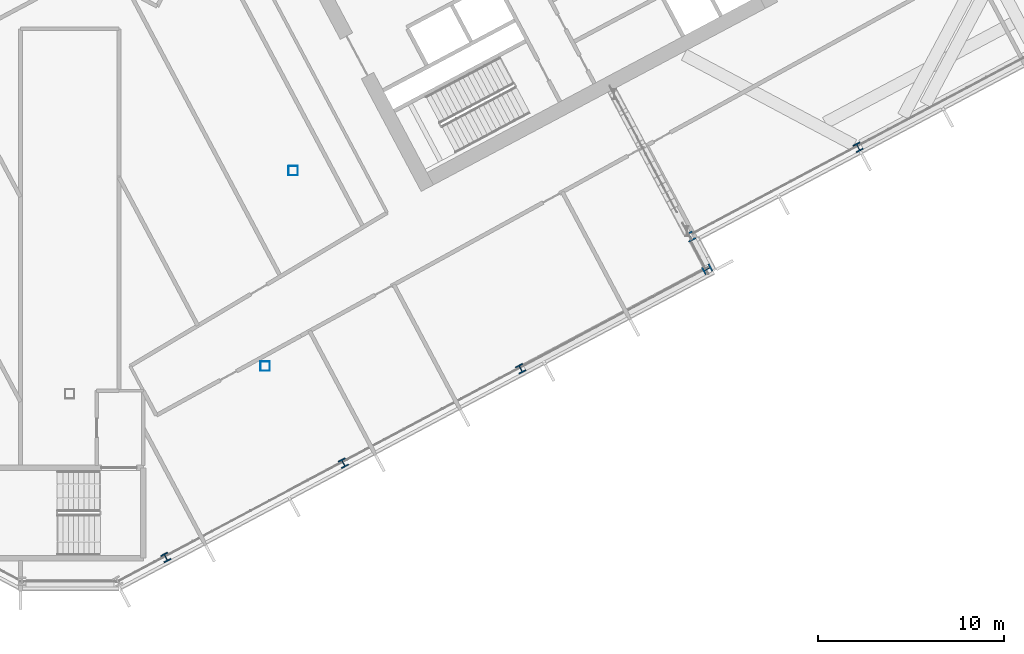
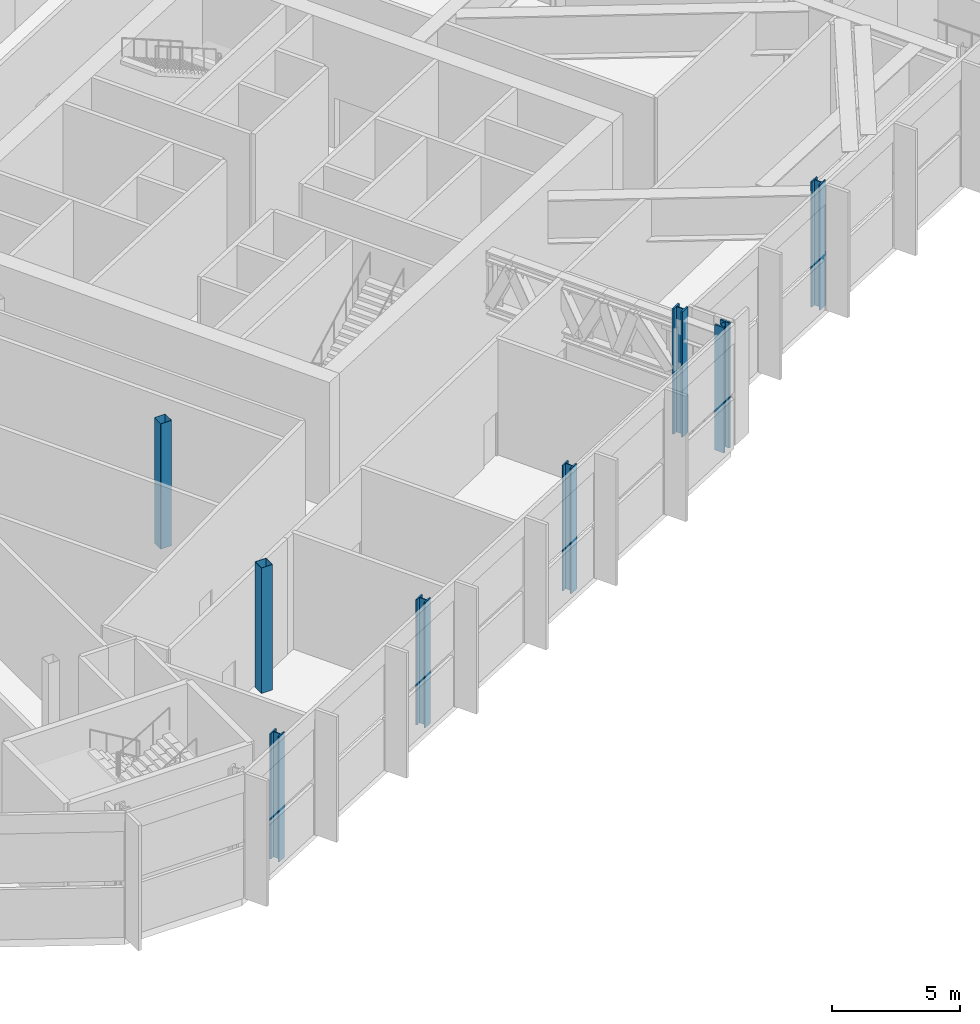
# One storey, part 5 of 33: 8 columns.
"""IFC4 building model written with IfcOpenShell, lengths in metres."""

from ifc_helpers import new_model, si_unit, direction, frame, origin, origin_2d, place, context, subcontext, project, spatial, hollow_rectangle, i_section, extrude, material, material_profile, profile_set, type_object, element, save


model = new_model("IFC4")

# Units and contexts
model_context = context("Model", 3, precision=1e-05, world=origin(), true_north=direction((0.0, 1.0)))
body_context = subcontext(model_context, "Body", "Model", "MODEL_VIEW")
ifc_project = project(units=[si_unit("LENGTHUNIT", "METRE"), si_unit("AREAUNIT", "SQUARE_METRE"), si_unit("VOLUMEUNIT", "CUBIC_METRE"), si_unit("PLANEANGLEUNIT", "RADIAN"), si_unit("MASSUNIT", "GRAM", prefix="KILO")], contexts=[model_context])

# Site, building, storey
site_placement = place(None, origin())
site = spatial("IfcSite", under=ifc_project, at=site_placement, CompositionType="ELEMENT")
building_placement = place(site_placement, origin())
building = spatial("IfcBuilding", under=site, at=building_placement, Name="Cormorant Relay Tower", CompositionType="ELEMENT")
storey_placement = place(building_placement, frame((0.0, 0.0, 183.60009765625)))
storey = spatial("IfcBuildingStorey", under=building, at=storey_placement, Name="L39", CompositionType="ELEMENT", Elevation=183.60009765625)

# Columns
ifc_material_1 = material(Name="Steel ASTM A500 Grade C (Fy 345 MPa)", Category="steel")
ifc_material_profile_1 = material_profile(ifc_material_1, hollow_rectangle(XDim=0.508056640625, YDim=0.508056640625, WallThickness=0.01171875, InnerFilletRadius=0.005859375, OuterFilletRadius=0.017822265625, at=origin_2d()), Name="HSS508x508x12")
ifc_profile_set_1 = profile_set([ifc_material_profile_1], Name="Steel ASTM A500 Grade C (Fy 345 MPa)")
column_type_1 = type_object("IfcColumnType", Name="Column HSS508x508x12", PredefinedType="COLUMN", material=ifc_profile_set_1)
for number, where, z_axis, x_axis, name in (
    (1, (10.5, -10.5, 0.0), (0.0, 0.0, 1.0), (1.0, 0.0, 0.0), "Column L39-010"),
    (2, (12.0, 0.0, 0.0), (0.0, 0.0, 1.0), (1.0, 0.0, 0.0), "Column L39-016"),
):
    element("IfcColumn", number, at=place(storey_placement, frame(where, z_axis=z_axis, x_axis=x_axis)), inside=storey, type_object=column_type_1, Name=name, PredefinedType="COLUMN", context=body_context, shape_type="SweptSolid", body=[
        extrude(hollow_rectangle(XDim=0.508056640625, YDim=0.508056640625, WallThickness=0.01171875, InnerFilletRadius=0.005859375, OuterFilletRadius=0.017822265625, at=origin_2d()), origin(), (0.0, 0.0, 1.0), 6.0),
    ])
ifc_material_2 = material(Name="Steel ASTM A992 (Fy 345 MPa)", Category="steel")
ifc_material_profile_2 = material_profile(ifc_material_2, i_section(OverallWidth=0.41162109375, OverallDepth=0.434326171875, WebThickness=0.035888671875, FlangeThickness=0.057373046875, FilletRadius=0.01513671875, at=origin_2d()), Name="W360x463")
ifc_profile_set_2 = profile_set([ifc_material_profile_2], Name="Steel ASTM A992 (Fy 345 MPa)")
column_type_2 = type_object("IfcColumnType", Name="Column W360x463", PredefinedType="COLUMN", material=ifc_profile_set_2)
for number, where, z_axis, x_axis, name in (
    (3, (5.1640625, -20.7890625, 0.0), (0.0, 0.0, 1.0), (0.882947592859, 0.469471562786, 0.0), "Column L39-003"),
    (4, (14.699951171875, -15.718994140625, 0.0), (0.0, 0.0, 1.0), (0.882947592859, 0.469471562786, 0.0), "Column L39-005"),
    (5, (24.236083984375, -10.64794921875, 0.0), (0.0, 0.0, 1.0), (0.882947592859, 0.469471562786, 0.0), "Column L39-008"),
    (6, (42.368896484375, 1.258056640625, 0.0), (0.0, 0.0, 1.0), (0.882947592859, 0.469471562786, 0.0), "Column L39-017"),
):
    element("IfcColumn", number, at=place(storey_placement, frame(where, z_axis=z_axis, x_axis=x_axis)), inside=storey, type_object=column_type_2, Name=name, PredefinedType="COLUMN", context=body_context, shape_type="SweptSolid", body=[
        extrude(i_section(OverallWidth=0.41162109375, OverallDepth=0.434326171875, WebThickness=0.035888671875, FlangeThickness=0.057373046875, FilletRadius=0.01513671875, at=origin_2d()), origin(), (0.0, 0.0, 1.0), 6.0),
    ])
ifc_material_3 = material(Name="Steel ASTM A992 (Fy 345 MPa)", Category="steel")
ifc_material_profile_3 = material_profile(ifc_material_3, i_section(OverallWidth=0.42431640625, OverallDepth=0.47509765625, WebThickness=0.0478515625, FlangeThickness=0.0771484375, FilletRadius=0.014892578125, at=origin_2d()), Name="W360x634")
ifc_profile_set_3 = profile_set([ifc_material_profile_3], Name="Steel ASTM A992 (Fy 345 MPa)")
column_type_3 = type_object("IfcColumnType", Name="Column W360x634", PredefinedType="COLUMN", material=ifc_profile_set_3)
for number, where, z_axis, x_axis, name in (
    (7, (34.256103515625, -5.297119140625, 0.0), (0.0, 0.0, 1.0), (-0.469471562786, 0.882947592859, 0.0), "Column L39-012"),
    (8, (33.35595703125, -3.54296875, 0.0), (0.0, 0.0, 1.0), (0.882947592859, 0.469471562786, 0.0), "Column L39-014"),
):
    element("IfcColumn", number, at=place(storey_placement, frame(where, z_axis=z_axis, x_axis=x_axis)), inside=storey, type_object=column_type_3, Name=name, PredefinedType="COLUMN", context=body_context, shape_type="SweptSolid", body=[
        extrude(i_section(OverallWidth=0.42431640625, OverallDepth=0.47509765625, WebThickness=0.0478515625, FlangeThickness=0.0771484375, FilletRadius=0.014892578125, at=origin_2d()), origin(), (0.0, 0.0, 1.0), 6.0),
    ])

save(model, "model.ifc")
